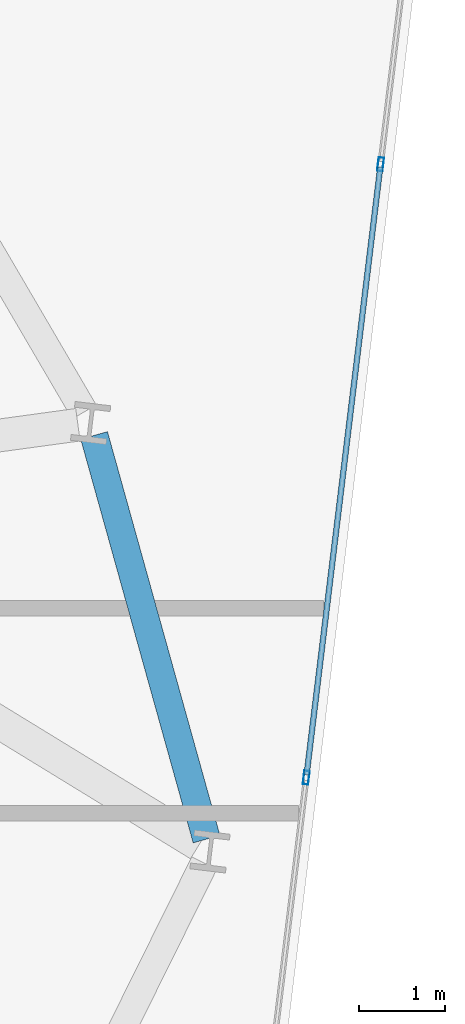
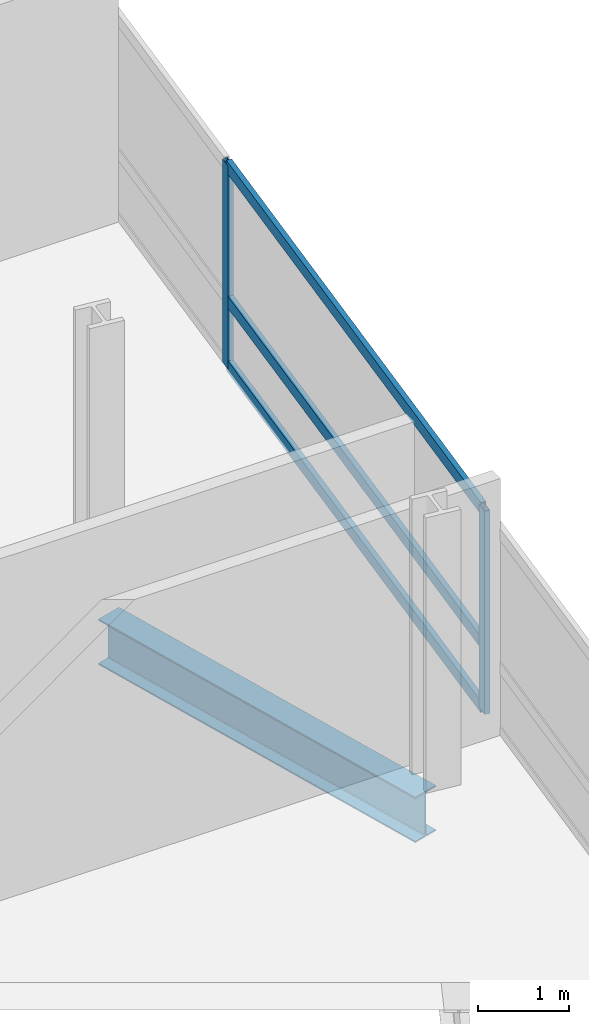
# One storey, part 16 of 26: 5 members, 1 beam, 1 element without a shape of its own.
"""IFC4 building model written with IfcOpenShell, lengths in metres."""

from ifc_helpers import new_model, si_unit, direction, frame, origin, origin_2d, place, context, subcontext, project, spatial, hollow_rectangle, i_section, extrude, material, layer, layer_set, material_profile, profile_set, type_object, element, aggregate, save


model = new_model("IFC4")

# Units and contexts
model_context = context("Model", 3, precision=1e-05, world=origin(), true_north=direction((0.0, 1.0)))
body_context = subcontext(model_context, "Body", "Model", "MODEL_VIEW")
ifc_project = project(units=[si_unit("LENGTHUNIT", "METRE"), si_unit("AREAUNIT", "SQUARE_METRE"), si_unit("VOLUMEUNIT", "CUBIC_METRE"), si_unit("PLANEANGLEUNIT", "RADIAN"), si_unit("MASSUNIT", "GRAM", prefix="KILO")], contexts=[model_context])

# Site, building, storey
site_placement = place(None, origin())
site = spatial("IfcSite", under=ifc_project, at=site_placement, CompositionType="ELEMENT")
building_placement = place(site_placement, origin())
building = spatial("IfcBuilding", under=site, at=building_placement, Name="Varnelok Gate Tower", CompositionType="ELEMENT")
storey_placement = place(building_placement, frame((0.0, 0.0, 129.10009765625)))
storey = spatial("IfcBuildingStorey", under=building, at=storey_placement, Name="L32", CompositionType="ELEMENT", Elevation=129.10009765625)

# Beam
ifc_material_1 = material(Name="Structural Steel ASTM A992 Grade 50", Category="steel")
ifc_material_profile_1 = material_profile(ifc_material_1, i_section(OverallWidth=0.323974609375, OverallDepth=0.611083984375, WebThickness=0.0126953125, FlangeThickness=0.01904296875, FilletRadius=0.01806640625, at=origin_2d()), Name="W24X104")
ifc_profile_set_1 = profile_set([ifc_material_profile_1], Name="Structural Steel ASTM A992 Grade 50")
beam_type = type_object("IfcBeamType", Name="BM-SPN-W24X104", PredefinedType="SPANDREL", material=ifc_profile_set_1)
beam_placement = place(storey_placement, frame((74.395263671875, 16.54931640625, -0.5556640625), z_axis=(-0.26833732875, 0.963325011613, 0.0), x_axis=(-0.963325011613, -0.26833732875, 0.0)))
element("IfcBeam", 1, at=beam_placement, inside=storey, type_object=beam_type, Name="L32 Perimeter Spandrel Beam 7", PredefinedType="SPANDREL", context=body_context, shape_type="SweptSolid", body=[
    extrude(i_section(OverallWidth=0.323974609375, OverallDepth=0.611083984375, WebThickness=0.0126953125, FlangeThickness=0.01904296875, FilletRadius=0.01806640625, at=origin_2d()), origin(), (0.0, 0.0, 1.0), 4.884033203125),
])

# Curtain wall, members
ifc_material_2 = material(Name="Anodized Aluminum Alloy 6063-T6", Category="aluminium")
ifc_layer = layer(ifc_material_2, 0.179931640625)
ifc_layer_set = layer_set([ifc_layer], Name="Anodized Aluminum Alloy 6063-T6")
curtain_wall_type = type_object("IfcCurtainWallType", Name="CW3-HOTEL-VISION", PredefinedType="USERDEFINED", material=ifc_layer_set)
curtain_wall_placement = place(storey_placement, origin())
curtain_wall = element("IfcCurtainWall", 2, at=curtain_wall_placement, inside=storey, type_object=curtain_wall_type, Name="L32 East End Vision Curtain Wall", ObjectType="UNITISED CURTAIN WALL", PredefinedType="USERDEFINED")
ifc_material_profile_2 = material_profile(ifc_material_2, hollow_rectangle(XDim=0.06494140625, YDim=0.159912109375, WallThickness=0.00390625, at=origin_2d()), Name="ALU160X65X4")
ifc_profile_set_2 = profile_set([ifc_material_profile_2], Name="Anodized Aluminum Alloy 6063-T6")
member_type_1 = type_object("IfcMemberType", Name="CW-MULL-160", PredefinedType="MULLION", material=ifc_profile_set_2)
member_1_placement = place(storey_placement, frame((76.423828125, 24.413818359375, 0.0), z_axis=(0.0, 0.0, 1.0), x_axis=(0.99273188146, -0.120347046212, 0.0)))
member_1 = element("IfcMember", 3, at=member_1_placement, type_object=member_type_1, Name="CW3 mullion 3", PredefinedType="MULLION", context=body_context, shape_type="SweptSolid", body=[
    extrude(hollow_rectangle(XDim=0.06494140625, YDim=0.159912109375, WallThickness=0.00390625, at=origin_2d()), origin(), (0.0, 0.0, 1.0), 2.72998046875),
])
member_2_placement = place(storey_placement, frame((75.557373046875, 17.26611328125, 0.0), z_axis=(0.0, 0.0, 1.0), x_axis=(0.99273188146, -0.120347046212, 0.0)))
member_2 = element("IfcMember", 4, at=member_2_placement, type_object=member_type_1, Name="CW3 mullion 4", PredefinedType="MULLION", context=body_context, shape_type="SweptSolid", body=[
    extrude(hollow_rectangle(XDim=0.06494140625, YDim=0.159912109375, WallThickness=0.00390625, at=origin_2d()), origin(), (0.0, 0.0, 1.0), 2.72998046875),
])
ifc_material_profile_3 = material_profile(ifc_material_2, hollow_rectangle(XDim=0.06494140625, YDim=0.159912109375, WallThickness=0.00390625, at=origin_2d()), Name="ALU160X65X4")
ifc_profile_set_3 = profile_set([ifc_material_profile_3], Name="Anodized Aluminum Alloy 6063-T6")
member_type_2 = type_object("IfcMemberType", Name="CW-TRAN-160", PredefinedType="USERDEFINED", material=ifc_profile_set_3)
member_3_placement = place(storey_placement, frame((76.419921875, 24.381591796875, 0.032470703125), z_axis=(-0.120340564253, -0.992732667235, 0.0), x_axis=(0.992732667235, -0.120340564253, 0.0)))
member_3 = element("IfcMember", 5, at=member_3_placement, type_object=member_type_2, Name="CW3 transom 3.1", ObjectType="TRANSOM", PredefinedType="USERDEFINED", context=body_context, shape_type="SweptSolid", body=[
    extrude(hollow_rectangle(XDim=0.06494140625, YDim=0.159912109375, WallThickness=0.00390625, at=origin_2d()), origin(), (0.0, 0.0, 1.0), 7.135009765625),
])
member_4_placement = place(storey_placement, frame((76.419921875, 24.381591796875, 0.89990234375), z_axis=(-0.120340564253, -0.992732667235, 0.0), x_axis=(0.992732667235, -0.120340564253, 0.0)))
member_4 = element("IfcMember", 6, at=member_4_placement, type_object=member_type_2, Name="CW3 transom 3.2", ObjectType="TRANSOM", PredefinedType="USERDEFINED", context=body_context, shape_type="SweptSolid", body=[
    extrude(hollow_rectangle(XDim=0.06494140625, YDim=0.159912109375, WallThickness=0.00390625, at=origin_2d()), origin(), (0.0, 0.0, 1.0), 7.135009765625),
])
member_5_placement = place(storey_placement, frame((76.419921875, 24.381591796875, 2.697509765625), z_axis=(-0.120340564253, -0.992732667235, 0.0), x_axis=(0.992732667235, -0.120340564253, 0.0)))
member_5 = element("IfcMember", 7, at=member_5_placement, type_object=member_type_2, Name="CW3 transom 3.3", ObjectType="TRANSOM", PredefinedType="USERDEFINED", context=body_context, shape_type="SweptSolid", body=[
    extrude(hollow_rectangle(XDim=0.06494140625, YDim=0.159912109375, WallThickness=0.00390625, at=origin_2d()), origin(), (0.0, 0.0, 1.0), 7.135009765625),
])
aggregate(curtain_wall, [member_1, member_2, member_3, member_4, member_5])

save(model, "model.ifc")
